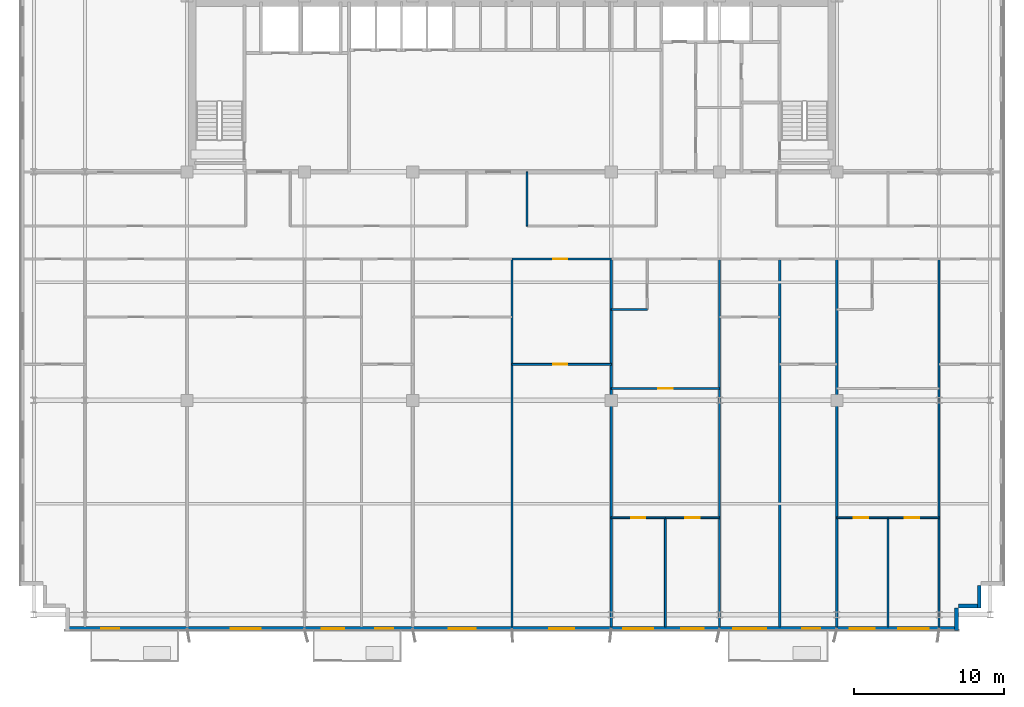
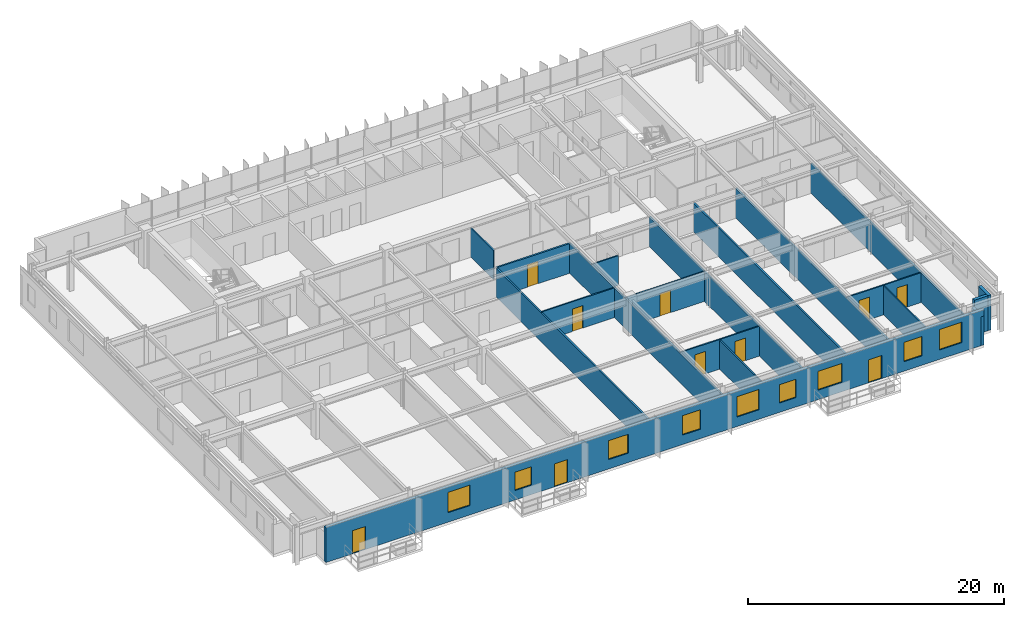
# One storey, part 15 of 21: 21 walls, 10 doors, 9 windows, 19 openings.
"""IFC4 building model written with IfcOpenShell, lengths in metres."""

from ifc_helpers import new_model, si_unit, direction, frame, frame_2d, origin, place, context, subcontext, project, spatial, rectangle, extrude, source, transform, mapped, material, layer, layer_set, type_object, element, fill, save


model = new_model("IFC4")

# Units and contexts
model_context = context("Model", 3, precision=1e-05, world=origin(), true_north=direction((0.0, 1.0)))
body_context = subcontext(model_context, "Body", "Model", "MODEL_VIEW")
ifc_project = project(units=[si_unit("LENGTHUNIT", "METRE"), si_unit("AREAUNIT", "SQUARE_METRE"), si_unit("VOLUMEUNIT", "CUBIC_METRE"), si_unit("PLANEANGLEUNIT", "RADIAN"), si_unit("MASSUNIT", "GRAM", prefix="KILO")], contexts=[model_context])

# Site, building, storey
site_placement = place(None, origin())
site = spatial("IfcSite", under=ifc_project, at=site_placement, CompositionType="ELEMENT")
building_placement = place(site_placement, origin())
building = spatial("IfcBuilding", under=site, at=building_placement, Name="Trelvane Seafront Commons", CompositionType="ELEMENT")
storey_placement = place(building_placement, frame((0.0, 0.0, 106.89990234375)))
storey = spatial("IfcBuildingStorey", under=building, at=storey_placement, Name="L27", CompositionType="ELEMENT", Elevation=106.89990234375)

# Walls
ifc_material_1 = material(Name="Precast concrete C40/50", Category="concrete")
ifc_layer_1 = layer(ifc_material_1, 0.260009765625, Name="ARCH-WALL-EXT260")
ifc_layer_set_1 = layer_set([ifc_layer_1], Name="Precast concrete C40/50")
wall_type_1 = type_object("IfcWallType", Name="ARCH-WALL-EXT260", PredefinedType="SOLIDWALL", material=ifc_layer_set_1)
for number, where, z_axis, x_axis, name in (
    (1, (68.27001953125, 5.89990234375, 0.0), (0.0, 0.0, 1.0), (0.0, -1.0, 0.0), "EW-L27-00512"),
    (2, (68.39990234375, 4.530029296875, 0.0), (0.0, 0.0, 1.0), (-1.0, 0.0, 0.0), "EW-L27-00513"),
):
    element("IfcWall", number, at=place(storey_placement, frame(where, z_axis=z_axis, x_axis=x_axis)), inside=storey, type_object=wall_type_1, Name=name, PredefinedType="SOLIDWALL", context=body_context, shape_type="SweptSolid", body=[
        extrude(rectangle(XDim=1.5, YDim=0.260009765625, at=frame_2d((0.75, 0.0))), origin(), (0.0, 0.0, 1.0), 3.340087890625),
    ])
wall_1_placement = place(storey_placement, frame((66.77001953125, 4.39990234375, 0.0), z_axis=(0.0, 0.0, 1.0), x_axis=(0.0, -1.0, 0.0)))
element("IfcWall", 3, at=wall_1_placement, inside=storey, type_object=wall_type_1, Name="EW-L27-00514", PredefinedType="SOLIDWALL", context=body_context, shape_type="SweptSolid", body=[
    extrude(rectangle(XDim=1.5, YDim=0.260009765625, at=frame_2d((0.75, 0.0))), origin(), (0.0, 0.0, 1.0), 2.752197265625),
])

# Wall, openings, doors, windows
wall_2_placement = place(storey_placement, frame((66.89990234375, 3.030029296875, 0.0), z_axis=(0.0, 0.0, 1.0), x_axis=(-1.0, 0.0, 0.0)))
wall_2 = element("IfcWall", 4, at=wall_2_placement, inside=storey, type_object=wall_type_1, Name="EW-L27-00515", PredefinedType="SOLIDWALL", context=body_context, shape_type="SweptSolid", body=[
    extrude(rectangle(XDim=59.39990234375, YDim=0.260009765625, at=frame_2d((29.699951171875, 0.0))), origin(), (0.0, 0.0, 1.0), 3.340087890625),
])
opening_1_placement = place(wall_2_placement, frame((2.0, 0.0, 0.89990234375)))
opening_1 = element("IfcOpeningElement", 5, at=opening_1_placement, cuts=wall_2, Name="Opening W06", PredefinedType="OPENING", context=body_context, shape_type="SweptSolid", body=[
    extrude(rectangle(XDim=2.0, YDim=1.949951171875, at=frame_2d((1.0, 0.97509765625))), frame((0.0, 0.139892578125, 0.0), z_axis=(0.0, -1.0, 0.0), x_axis=(1.0, 0.0, 0.0)), (0.0, 0.0, 1.0), 0.280029296875),
])
opening_2_placement = place(wall_2_placement, frame((5.574951171875, 0.0, 0.89990234375)))
opening_2 = element("IfcOpeningElement", 6, at=opening_2_placement, cuts=wall_2, Name="Opening W07", PredefinedType="OPENING", context=body_context, shape_type="SweptSolid", body=[
    extrude(rectangle(XDim=1.64990234375, YDim=1.85009765625, at=frame_2d((0.824951171875, 0.925048828125))), frame((0.0, 0.139892578125, 0.0), z_axis=(0.0, -1.0, 0.0), x_axis=(1.0, 0.0, 0.0)), (0.0, 0.0, 1.0), 0.280029296875),
])
opening_3_placement = place(wall_2_placement, frame((9.212890625, 0.0, 0.0)))
opening_3 = element("IfcOpeningElement", 7, at=opening_3_placement, cuts=wall_2, Name="Opening BD-L27-64", PredefinedType="OPENING", context=body_context, shape_type="SweptSolid", body=[
    extrude(rectangle(XDim=1.199951171875, YDim=2.199951171875, at=frame_2d((0.60009765625, 1.10009765625))), frame((0.0, 0.139892578125, 0.0), z_axis=(0.0, -1.0, 0.0), x_axis=(1.0, 0.0, 0.0)), (0.0, 0.0, 1.0), 0.280029296875),
])
opening_4_placement = place(wall_2_placement, frame((12.800048828125, 0.0, 0.89990234375)))
opening_4 = element("IfcOpeningElement", 8, at=opening_4_placement, cuts=wall_2, Name="Opening W02", PredefinedType="OPENING", context=body_context, shape_type="SweptSolid", body=[
    extrude(rectangle(XDim=2.199951171875, YDim=1.800048828125, at=frame_2d((1.10009765625, 0.89990234375))), frame((0.0, 0.139892578125, 0.0), z_axis=(0.0, -1.0, 0.0), x_axis=(1.0, 0.0, 0.0)), (0.0, 0.0, 1.0), 0.280029296875),
])
opening_5_placement = place(wall_2_placement, frame((16.949951171875, 0.0, 0.89990234375)))
opening_5 = element("IfcOpeningElement", 9, at=opening_5_placement, cuts=wall_2, Name="Opening W03", PredefinedType="OPENING", context=body_context, shape_type="SweptSolid", body=[
    extrude(rectangle(XDim=1.5, YDim=1.75, at=frame_2d((0.75, 0.875))), frame((0.0, 0.139892578125, 0.0), z_axis=(0.0, -1.0, 0.0), x_axis=(1.0, 0.0, 0.0)), (0.0, 0.0, 1.0), 0.280029296875),
])
opening_6_placement = place(wall_2_placement, frame((20.300048828125, 0.0, 0.89990234375)))
opening_6 = element("IfcOpeningElement", 10, at=opening_6_placement, cuts=wall_2, Name="Opening W06", PredefinedType="OPENING", context=body_context, shape_type="SweptSolid", body=[
    extrude(rectangle(XDim=2.0, YDim=1.949951171875, at=frame_2d((1.0, 0.97509765625))), frame((0.0, 0.139892578125, 0.0), z_axis=(0.0, -1.0, 0.0), x_axis=(1.0, 0.0, 0.0)), (0.0, 0.0, 1.0), 0.280029296875),
])
opening_7_placement = place(wall_2_placement, frame((25.574951171875, 0.0, 0.89990234375)))
opening_7 = element("IfcOpeningElement", 11, at=opening_7_placement, cuts=wall_2, Name="Opening W07", PredefinedType="OPENING", context=body_context, shape_type="SweptSolid", body=[
    extrude(rectangle(XDim=1.64990234375, YDim=1.85009765625, at=frame_2d((0.824951171875, 0.925048828125))), frame((0.0, 0.139892578125, 0.0), z_axis=(0.0, -1.0, 0.0), x_axis=(1.0, 0.0, 0.0)), (0.0, 0.0, 1.0), 0.280029296875),
])
opening_8_placement = place(wall_2_placement, frame((32.10009765625, 0.0, 0.89990234375)))
opening_8 = element("IfcOpeningElement", 12, at=opening_8_placement, cuts=wall_2, Name="Opening W01", PredefinedType="OPENING", context=body_context, shape_type="SweptSolid", body=[
    extrude(rectangle(XDim=1.800048828125, YDim=1.800048828125, at=frame_2d((0.89990234375, 0.89990234375))), frame((0.0, 0.139892578125, 0.0), z_axis=(0.0, -1.0, 0.0), x_axis=(1.0, 0.0, 0.0)), (0.0, 0.0, 1.0), 0.280029296875),
])
opening_9_placement = place(wall_2_placement, frame((37.583984375, 0.0, 0.0)))
opening_9 = element("IfcOpeningElement", 13, at=opening_9_placement, cuts=wall_2, Name="Opening BD-L27-65", PredefinedType="OPENING", context=body_context, shape_type="SweptSolid", body=[
    extrude(rectangle(XDim=1.199951171875, YDim=2.199951171875, at=frame_2d((0.60009765625, 1.10009765625))), frame((0.0, 0.139892578125, 0.0), z_axis=(0.0, -1.0, 0.0), x_axis=(1.0, 0.0, 0.0)), (0.0, 0.0, 1.0), 0.280029296875),
])
opening_10_placement = place(wall_2_placement, frame((40.85009765625, 0.0, 0.89990234375)))
opening_10 = element("IfcOpeningElement", 14, at=opening_10_placement, cuts=wall_2, Name="Opening W03", PredefinedType="OPENING", context=body_context, shape_type="SweptSolid", body=[
    extrude(rectangle(XDim=1.5, YDim=1.75, at=frame_2d((0.75, 0.875))), frame((0.0, 0.139892578125, 0.0), z_axis=(0.0, -1.0, 0.0), x_axis=(1.0, 0.0, 0.0)), (0.0, 0.0, 1.0), 0.280029296875),
])
opening_11_placement = place(wall_2_placement, frame((46.39990234375, 0.0, 0.89990234375)))
opening_11 = element("IfcOpeningElement", 15, at=opening_11_placement, cuts=wall_2, Name="Opening W06", PredefinedType="OPENING", context=body_context, shape_type="SweptSolid", body=[
    extrude(rectangle(XDim=2.0, YDim=1.949951171875, at=frame_2d((1.0, 0.97509765625))), frame((0.0, 0.139892578125, 0.0), z_axis=(0.0, -1.0, 0.0), x_axis=(1.0, 0.0, 0.0)), (0.0, 0.0, 1.0), 0.280029296875),
])
opening_12_placement = place(wall_2_placement, frame((55.81689453125, 0.0, 0.0)))
opening_12 = element("IfcOpeningElement", 16, at=opening_12_placement, cuts=wall_2, Name="Opening BD-L27-66", PredefinedType="OPENING", context=body_context, shape_type="SweptSolid", body=[
    extrude(rectangle(XDim=1.199951171875, YDim=2.199951171875, at=frame_2d((0.60009765625, 1.10009765625))), frame((0.0, 0.139892578125, 0.0), z_axis=(0.0, -1.0, 0.0), x_axis=(1.0, 0.0, 0.0)), (0.0, 0.0, 1.0), 0.280029296875),
])
ifc_material_2 = material(Name="Powder-coated aluminium frame", Category="aluminium")
door_type_1 = type_object("IfcDoorType", Name="ARCH-DR-BAL1200", OperationType="NOTDEFINED", PredefinedType="DOOR", material=ifc_material_2)
shared_shape_1 = source(origin(), body_context, "Body", "SweptSolid", [
    extrude(rectangle(XDim=1.199951171875, YDim=2.199951171875, at=frame_2d((0.60009765625, 1.10009765625))), frame((0.0, 0.02490234375, 0.0), z_axis=(0.0, -1.0, 0.0), x_axis=(1.0, 0.0, 0.0)), (0.0, 0.0, 1.0), 0.050048828125),
])
door_1_placement = place(opening_3_placement, origin())
door_1 = element("IfcDoor", 17, at=door_1_placement, inside=storey, type_object=door_type_1, Name="L27 Balcony Terrace Access Door", OperationType="SINGLE_SWING_LEFT", OverallHeight=2.199951171875, OverallWidth=1.199951171875, PredefinedType="DOOR", context=body_context, shape_type="MappedRepresentation", body=[
    mapped(shared_shape_1, transform((0.0, 0.0, 0.0), x_axis=(1.0, 0.0, 0.0), y_axis=(0.0, 1.0, 0.0), z_axis=(0.0, 0.0, 1.0), scale=1.0)),
])
fill(opening_3, door_1)
door_2_placement = place(opening_9_placement, origin())
door_2 = element("IfcDoor", 18, at=door_2_placement, inside=storey, type_object=door_type_1, Name="L27 Balcony Terrace Access Door", OperationType="SINGLE_SWING_LEFT", OverallHeight=2.199951171875, OverallWidth=1.199951171875, PredefinedType="DOOR", context=body_context, shape_type="MappedRepresentation", body=[
    mapped(shared_shape_1, transform((0.0, 0.0, 0.0), x_axis=(1.0, 0.0, 0.0), y_axis=(0.0, 1.0, 0.0), z_axis=(0.0, 0.0, 1.0), scale=1.0)),
])
fill(opening_9, door_2)
door_3_placement = place(opening_12_placement, origin())
door_3 = element("IfcDoor", 19, at=door_3_placement, inside=storey, type_object=door_type_1, Name="L27 Balcony Terrace Access Door", OperationType="SINGLE_SWING_LEFT", OverallHeight=2.199951171875, OverallWidth=1.199951171875, PredefinedType="DOOR", context=body_context, shape_type="MappedRepresentation", body=[
    mapped(shared_shape_1, transform((0.0, 0.0, 0.0), x_axis=(1.0, 0.0, 0.0), y_axis=(0.0, 1.0, 0.0), z_axis=(0.0, 0.0, 1.0), scale=1.0)),
])
fill(opening_12, door_3)
ifc_material_3 = material(Name="Low-E coastal double glazing", Category="glass")
window_type_1 = type_object("IfcWindowType", Name="ARCH-WIN-W02", PartitioningType="SINGLE_PANEL", PredefinedType="WINDOW", material=ifc_material_3)
shared_shape_2 = source(origin(), body_context, "Body", "SweptSolid", [
    extrude(rectangle(XDim=2.199951171875, YDim=1.800048828125, at=frame_2d((1.10009765625, 0.89990234375))), frame((0.0, 0.030029296875, 0.0), z_axis=(0.0, -1.0, 0.0), x_axis=(1.0, 0.0, 0.0)), (0.0, 0.0, 1.0), 0.06005859375),
])
window_1_placement = place(opening_4_placement, origin())
window_1 = element("IfcWindow", 20, at=window_1_placement, inside=storey, type_object=window_type_1, Name="WIN-L27-00603", OverallHeight=1.800048828125, OverallWidth=2.199951171875, PartitioningType="SINGLE_PANEL", PredefinedType="WINDOW", context=body_context, shape_type="MappedRepresentation", body=[
    mapped(shared_shape_2, transform((0.0, 0.0, 0.0), x_axis=(1.0, 0.0, 0.0), y_axis=(0.0, 1.0, 0.0), z_axis=(0.0, 0.0, 1.0), scale=1.0)),
])
fill(opening_4, window_1)
window_type_2 = type_object("IfcWindowType", Name="ARCH-WIN-W03", PartitioningType="SINGLE_PANEL", PredefinedType="WINDOW", material=ifc_material_3)
shared_shape_3 = source(origin(), body_context, "Body", "SweptSolid", [
    extrude(rectangle(XDim=1.5, YDim=1.75, at=frame_2d((0.75, 0.875))), frame((0.0, 0.030029296875, 0.0), z_axis=(0.0, -1.0, 0.0), x_axis=(1.0, 0.0, 0.0)), (0.0, 0.0, 1.0), 0.06005859375),
])
window_2_placement = place(opening_5_placement, origin())
window_2 = element("IfcWindow", 21, at=window_2_placement, inside=storey, type_object=window_type_2, Name="WIN-L27-00604", OverallHeight=1.75, OverallWidth=1.5, PartitioningType="SINGLE_PANEL", PredefinedType="WINDOW", context=body_context, shape_type="MappedRepresentation", body=[
    mapped(shared_shape_3, transform((0.0, 0.0, 0.0), x_axis=(1.0, 0.0, 0.0), y_axis=(0.0, 1.0, 0.0), z_axis=(0.0, 0.0, 1.0), scale=1.0)),
])
fill(opening_5, window_2)
window_3_placement = place(opening_10_placement, origin())
window_3 = element("IfcWindow", 22, at=window_3_placement, inside=storey, type_object=window_type_2, Name="WIN-L27-00608", OverallHeight=1.75, OverallWidth=1.5, PartitioningType="SINGLE_PANEL", PredefinedType="WINDOW", context=body_context, shape_type="MappedRepresentation", body=[
    mapped(shared_shape_3, transform((0.0, 0.0, 0.0), x_axis=(1.0, 0.0, 0.0), y_axis=(0.0, 1.0, 0.0), z_axis=(0.0, 0.0, 1.0), scale=1.0)),
])
fill(opening_10, window_3)
window_type_3 = type_object("IfcWindowType", Name="ARCH-WIN-W06", PartitioningType="SINGLE_PANEL", PredefinedType="WINDOW", material=ifc_material_3)
shared_shape_4 = source(origin(), body_context, "Body", "SweptSolid", [
    extrude(rectangle(XDim=2.0, YDim=1.949951171875, at=frame_2d((1.0, 0.97509765625))), frame((0.0, 0.030029296875, 0.0), z_axis=(0.0, -1.0, 0.0), x_axis=(1.0, 0.0, 0.0)), (0.0, 0.0, 1.0), 0.06005859375),
])
window_4_placement = place(opening_1_placement, origin())
window_4 = element("IfcWindow", 23, at=window_4_placement, inside=storey, type_object=window_type_3, Name="WIN-L27-00601", OverallHeight=1.949951171875, OverallWidth=2.0, PartitioningType="SINGLE_PANEL", PredefinedType="WINDOW", context=body_context, shape_type="MappedRepresentation", body=[
    mapped(shared_shape_4, transform((0.0, 0.0, 0.0), x_axis=(1.0, 0.0, 0.0), y_axis=(0.0, 1.0, 0.0), z_axis=(0.0, 0.0, 1.0), scale=1.0)),
])
fill(opening_1, window_4)
window_5_placement = place(opening_6_placement, origin())
window_5 = element("IfcWindow", 24, at=window_5_placement, inside=storey, type_object=window_type_3, Name="WIN-L27-00605", OverallHeight=1.949951171875, OverallWidth=2.0, PartitioningType="SINGLE_PANEL", PredefinedType="WINDOW", context=body_context, shape_type="MappedRepresentation", body=[
    mapped(shared_shape_4, transform((0.0, 0.0, 0.0), x_axis=(1.0, 0.0, 0.0), y_axis=(0.0, 1.0, 0.0), z_axis=(0.0, 0.0, 1.0), scale=1.0)),
])
fill(opening_6, window_5)
window_6_placement = place(opening_11_placement, origin())
window_6 = element("IfcWindow", 25, at=window_6_placement, inside=storey, type_object=window_type_3, Name="WIN-L27-00609", OverallHeight=1.949951171875, OverallWidth=2.0, PartitioningType="SINGLE_PANEL", PredefinedType="WINDOW", context=body_context, shape_type="MappedRepresentation", body=[
    mapped(shared_shape_4, transform((0.0, 0.0, 0.0), x_axis=(1.0, 0.0, 0.0), y_axis=(0.0, 1.0, 0.0), z_axis=(0.0, 0.0, 1.0), scale=1.0)),
])
fill(opening_11, window_6)
window_type_4 = type_object("IfcWindowType", Name="ARCH-WIN-W01", PartitioningType="SINGLE_PANEL", PredefinedType="WINDOW", material=ifc_material_3)
shared_shape_5 = source(origin(), body_context, "Body", "SweptSolid", [
    extrude(rectangle(XDim=1.800048828125, YDim=1.800048828125, at=frame_2d((0.89990234375, 0.89990234375))), frame((0.0, 0.030029296875, 0.0), z_axis=(0.0, -1.0, 0.0), x_axis=(1.0, 0.0, 0.0)), (0.0, 0.0, 1.0), 0.06005859375),
])
window_7_placement = place(opening_8_placement, origin())
window_7 = element("IfcWindow", 26, at=window_7_placement, inside=storey, type_object=window_type_4, Name="WIN-L27-00607", OverallHeight=1.800048828125, OverallWidth=1.800048828125, PartitioningType="SINGLE_PANEL", PredefinedType="WINDOW", context=body_context, shape_type="MappedRepresentation", body=[
    mapped(shared_shape_5, transform((0.0, 0.0, 0.0), x_axis=(1.0, 0.0, 0.0), y_axis=(0.0, 1.0, 0.0), z_axis=(0.0, 0.0, 1.0), scale=1.0)),
])
fill(opening_8, window_7)
window_type_5 = type_object("IfcWindowType", Name="ARCH-WIN-W07", PartitioningType="SINGLE_PANEL", PredefinedType="WINDOW", material=ifc_material_3)
shared_shape_6 = source(origin(), body_context, "Body", "SweptSolid", [
    extrude(rectangle(XDim=1.64990234375, YDim=1.85009765625, at=frame_2d((0.824951171875, 0.925048828125))), frame((0.0, 0.030029296875, 0.0), z_axis=(0.0, -1.0, 0.0), x_axis=(1.0, 0.0, 0.0)), (0.0, 0.0, 1.0), 0.06005859375),
])
window_8_placement = place(opening_2_placement, origin())
window_8 = element("IfcWindow", 27, at=window_8_placement, inside=storey, type_object=window_type_5, Name="WIN-L27-00602", OverallHeight=1.85009765625, OverallWidth=1.64990234375, PartitioningType="SINGLE_PANEL", PredefinedType="WINDOW", context=body_context, shape_type="MappedRepresentation", body=[
    mapped(shared_shape_6, transform((0.0, 0.0, 0.0), x_axis=(1.0, 0.0, 0.0), y_axis=(0.0, 1.0, 0.0), z_axis=(0.0, 0.0, 1.0), scale=1.0)),
])
fill(opening_2, window_8)
window_9_placement = place(opening_7_placement, origin())
window_9 = element("IfcWindow", 28, at=window_9_placement, inside=storey, type_object=window_type_5, Name="WIN-L27-00606", OverallHeight=1.85009765625, OverallWidth=1.64990234375, PartitioningType="SINGLE_PANEL", PredefinedType="WINDOW", context=body_context, shape_type="MappedRepresentation", body=[
    mapped(shared_shape_6, transform((0.0, 0.0, 0.0), x_axis=(1.0, 0.0, 0.0), y_axis=(0.0, 1.0, 0.0), z_axis=(0.0, 0.0, 1.0), scale=1.0)),
])
fill(opening_7, window_9)

# Wall
ifc_material_4 = material(Name="Gypsum Drywall Acoustic Partition")
ifc_layer_2 = layer(ifc_material_4, 0.1201171875, Name="ARCH-WALL-PART120")
ifc_layer_set_2 = layer_set([ifc_layer_2], Name="Gypsum Drywall Acoustic Partition")
wall_type_2 = type_object("IfcWallType", Name="ARCH-WALL-PART120", PredefinedType="PARTITIONING", material=ifc_layer_set_2)
wall_3_placement = place(storey_placement, frame((38.199951171875, 29.800048828125, 0.0), z_axis=(0.0, 0.0, 1.0), x_axis=(0.0, 1.0, 0.0)))
element("IfcWall", 29, at=wall_3_placement, inside=storey, type_object=wall_type_2, Name="W-L27-N-SPUR-M2-046", PredefinedType="PARTITIONING", context=body_context, shape_type="SweptSolid", body=[
    extrude(rectangle(XDim=3.599853515625, YDim=0.1201171875, at=frame_2d((1.7998046875, 0.0))), origin(), (0.0, 0.0, 1.0), 2.752197265625),
])

# Wall, opening, door
wall_4_placement = place(storey_placement, frame((37.199951171875, 20.60009765625, 0.0), z_axis=(0.0, 0.0, 1.0), x_axis=(1.0, 0.0, 0.0)))
wall_4 = element("IfcWall", 30, at=wall_4_placement, inside=storey, type_object=wall_type_2, Name="W-L27-U7-DIV-078", PredefinedType="PARTITIONING", context=body_context, shape_type="SweptSolid", body=[
    extrude(rectangle(XDim=6.60009765625, YDim=0.1201171875, at=frame_2d((3.300048828125, 0.0))), origin(), (0.0, 0.0, 1.0), 2.840087890625),
])
opening_13_placement = place(wall_4_placement, frame((2.73388671875, 0.0, 0.0)))
opening_13 = element("IfcOpeningElement", 31, at=opening_13_placement, cuts=wall_4, Name="Opening D-L27-41", PredefinedType="OPENING", context=body_context, shape_type="SweptSolid", body=[
    extrude(rectangle(XDim=0.949951171875, YDim=2.14990234375, at=frame_2d((0.47509765625, 1.074951171875))), frame((0.0, 0.070068359375, 0.0), z_axis=(0.0, -1.0, 0.0), x_axis=(1.0, 0.0, 0.0)), (0.0, 0.0, 1.0), 0.14013671875),
])
ifc_material_5 = material(Name="Acoustic timber door leaf", Category="wood")
door_type_2 = type_object("IfcDoorType", Name="ARCH-DR-INT950", OperationType="NOTDEFINED", PredefinedType="DOOR", material=ifc_material_5)
shared_shape_7 = source(origin(), body_context, "Body", "SweptSolid", [
    extrude(rectangle(XDim=0.949951171875, YDim=2.14990234375, at=frame_2d((0.47509765625, 1.074951171875))), frame((0.0, 0.02490234375, 0.0), z_axis=(0.0, -1.0, 0.0), x_axis=(1.0, 0.0, 0.0)), (0.0, 0.0, 1.0), 0.050048828125),
])
door_4_placement = place(opening_13_placement, origin())
door_4 = element("IfcDoor", 32, at=door_4_placement, inside=storey, type_object=door_type_2, Name="L27 Door 41", OperationType="SINGLE_SWING_LEFT", OverallHeight=2.14990234375, OverallWidth=0.949951171875, PredefinedType="DOOR", context=body_context, shape_type="MappedRepresentation", body=[
    mapped(shared_shape_7, transform((0.0, 0.0, 0.0), x_axis=(1.0, 0.0, 0.0), y_axis=(0.0, 1.0, 0.0), z_axis=(0.0, 0.0, 1.0), scale=1.0)),
])
fill(opening_13, door_4)

wall_5_placement = place(storey_placement, frame((43.800048828125, 19.0, 0.0), z_axis=(0.0, 0.0, 1.0), x_axis=(1.0, 0.0, 0.0)))
wall_5 = element("IfcWall", 33, at=wall_5_placement, inside=storey, type_object=wall_type_2, Name="W-L27-U8-KL-079", PredefinedType="PARTITIONING", context=body_context, shape_type="SweptSolid", body=[
    extrude(rectangle(XDim=7.199951171875, YDim=0.1201171875, at=frame_2d((3.60009765625, 0.0))), origin(), (0.0, 0.0, 1.0), 2.840087890625),
])
opening_14_placement = place(wall_5_placement, frame((3.125, 0.0, 0.0)))
opening_14 = element("IfcOpeningElement", 34, at=opening_14_placement, cuts=wall_5, Name="Opening D-L27-42", PredefinedType="OPENING", context=body_context, shape_type="SweptSolid", body=[
    extrude(rectangle(XDim=0.949951171875, YDim=2.14990234375, at=frame_2d((0.47509765625, 1.074951171875))), frame((0.0, 0.070068359375, 0.0), z_axis=(0.0, -1.0, 0.0), x_axis=(1.0, 0.0, 0.0)), (0.0, 0.0, 1.0), 0.14013671875),
])
door_5_placement = place(opening_14_placement, origin())
door_5 = element("IfcDoor", 35, at=door_5_placement, inside=storey, type_object=door_type_2, Name="L27 Door 42", OperationType="SINGLE_SWING_RIGHT", OverallHeight=2.14990234375, OverallWidth=0.949951171875, PredefinedType="DOOR", context=body_context, shape_type="MappedRepresentation", body=[
    mapped(shared_shape_7, transform((0.0, 0.0, 0.0), x_axis=(1.0, 0.0, 0.0), y_axis=(0.0, 1.0, 0.0), z_axis=(0.0, 0.0, 1.0), scale=1.0)),
])
fill(opening_14, door_5)

# Wall
wall_6_placement = place(storey_placement, frame((43.800048828125, 24.25, 0.0), z_axis=(0.0, 0.0, 1.0), x_axis=(1.0, 0.0, 0.0)))
element("IfcWall", 36, at=wall_6_placement, inside=storey, type_object=wall_type_2, Name="W-L27-U8-BS-081", PredefinedType="PARTITIONING", context=body_context, shape_type="SweptSolid", body=[
    extrude(rectangle(XDim=2.39990234375, YDim=0.1201171875, at=frame_2d((1.199951171875, 0.0))), origin(), (0.0, 0.0, 1.0), 2.840087890625),
])

# Wall, opening, door
wall_7_placement = place(storey_placement, frame((43.800048828125, 10.39990234375, 0.0), z_axis=(0.0, 0.0, 1.0), x_axis=(1.0, 0.0, 0.0)))
wall_7 = element("IfcWall", 37, at=wall_7_placement, inside=storey, type_object=wall_type_2, Name="W-L27-U8-YM-1-083", PredefinedType="PARTITIONING", context=body_context, shape_type="SweptSolid", body=[
    extrude(rectangle(XDim=3.599853515625, YDim=0.1201171875, at=frame_2d((1.7998046875, 0.0))), origin(), (0.0, 0.0, 1.0), 2.840087890625),
])
opening_15_placement = place(wall_7_placement, frame((1.324951171875, 0.0, 0.0)))
opening_15 = element("IfcOpeningElement", 38, at=opening_15_placement, cuts=wall_7, Name="Opening D-L27-45", PredefinedType="OPENING", context=body_context, shape_type="SweptSolid", body=[
    extrude(rectangle(XDim=0.949951171875, YDim=2.14990234375, at=frame_2d((0.47509765625, 1.074951171875))), frame((0.0, 0.070068359375, 0.0), z_axis=(0.0, -1.0, 0.0), x_axis=(1.0, 0.0, 0.0)), (0.0, 0.0, 1.0), 0.14013671875),
])
door_6_placement = place(opening_15_placement, origin())
door_6 = element("IfcDoor", 39, at=door_6_placement, inside=storey, type_object=door_type_2, Name="L27 Door 45", OperationType="SINGLE_SWING_LEFT", OverallHeight=2.14990234375, OverallWidth=0.949951171875, PredefinedType="DOOR", context=body_context, shape_type="MappedRepresentation", body=[
    mapped(shared_shape_7, transform((0.0, 0.0, 0.0), x_axis=(1.0, 0.0, 0.0), y_axis=(0.0, 1.0, 0.0), z_axis=(0.0, 0.0, 1.0), scale=1.0)),
])
fill(opening_15, door_6)

wall_8_placement = place(storey_placement, frame((47.39990234375, 10.39990234375, 0.0), z_axis=(0.0, 0.0, 1.0), x_axis=(1.0, 0.0, 0.0)))
wall_8 = element("IfcWall", 40, at=wall_8_placement, inside=storey, type_object=wall_type_2, Name="W-L27-U8-YM-2-084", PredefinedType="PARTITIONING", context=body_context, shape_type="SweptSolid", body=[
    extrude(rectangle(XDim=3.60009765625, YDim=0.1201171875, at=frame_2d((1.800048828125, 0.0))), origin(), (0.0, 0.0, 1.0), 2.840087890625),
])
opening_16_placement = place(wall_8_placement, frame((1.324951171875, 0.0, 0.0)))
opening_16 = element("IfcOpeningElement", 41, at=opening_16_placement, cuts=wall_8, Name="Opening D-L27-46", PredefinedType="OPENING", context=body_context, shape_type="SweptSolid", body=[
    extrude(rectangle(XDim=0.949951171875, YDim=2.14990234375, at=frame_2d((0.47509765625, 1.074951171875))), frame((0.0, 0.070068359375, 0.0), z_axis=(0.0, -1.0, 0.0), x_axis=(1.0, 0.0, 0.0)), (0.0, 0.0, 1.0), 0.14013671875),
])
door_7_placement = place(opening_16_placement, origin())
door_7 = element("IfcDoor", 42, at=door_7_placement, inside=storey, type_object=door_type_2, Name="L27 Door 46", OperationType="SINGLE_SWING_RIGHT", OverallHeight=2.14990234375, OverallWidth=0.949951171875, PredefinedType="DOOR", context=body_context, shape_type="MappedRepresentation", body=[
    mapped(shared_shape_7, transform((0.0, 0.0, 0.0), x_axis=(1.0, 0.0, 0.0), y_axis=(0.0, 1.0, 0.0), z_axis=(0.0, 0.0, 1.0), scale=1.0)),
])
fill(opening_16, door_7)

# Wall
wall_9_placement = place(storey_placement, frame((47.39990234375, 3.14501953125, 0.0), z_axis=(0.0, 0.0, 1.0), x_axis=(0.0, 1.0, 0.0)))
element("IfcWall", 43, at=wall_9_placement, inside=storey, type_object=wall_type_2, Name="W-L27-U8-BDV-1-085", PredefinedType="PARTITIONING", context=body_context, shape_type="SweptSolid", body=[
    extrude(rectangle(XDim=7.2548828125, YDim=0.1201171875, at=frame_2d((3.62744140625, 0.0))), origin(), (0.0, 0.0, 1.0), 2.752197265625),
])

# Wall, opening, door
wall_10_placement = place(storey_placement, frame((58.800048828125, 10.39990234375, 0.0), z_axis=(0.0, 0.0, 1.0), x_axis=(1.0, 0.0, 0.0)))
wall_10 = element("IfcWall", 44, at=wall_10_placement, inside=storey, type_object=wall_type_2, Name="W-L27-U11-YM-1-094", PredefinedType="PARTITIONING", context=body_context, shape_type="SweptSolid", body=[
    extrude(rectangle(XDim=3.39990234375, YDim=0.1201171875, at=frame_2d((1.699951171875, 0.0))), origin(), (0.0, 0.0, 1.0), 2.840087890625),
])
opening_17_placement = place(wall_10_placement, frame((1.131103515625, 0.0, 0.0)))
opening_17 = element("IfcOpeningElement", 45, at=opening_17_placement, cuts=wall_10, Name="Opening D-L27-54", PredefinedType="OPENING", context=body_context, shape_type="SweptSolid", body=[
    extrude(rectangle(XDim=0.949951171875, YDim=2.14990234375, at=frame_2d((0.47509765625, 1.074951171875))), frame((0.0, 0.070068359375, 0.0), z_axis=(0.0, -1.0, 0.0), x_axis=(1.0, 0.0, 0.0)), (0.0, 0.0, 1.0), 0.14013671875),
])
door_8_placement = place(opening_17_placement, origin())
door_8 = element("IfcDoor", 46, at=door_8_placement, inside=storey, type_object=door_type_2, Name="L27 Door 54", OperationType="SINGLE_SWING_RIGHT", OverallHeight=2.14990234375, OverallWidth=0.949951171875, PredefinedType="DOOR", context=body_context, shape_type="MappedRepresentation", body=[
    mapped(shared_shape_7, transform((0.0, 0.0, 0.0), x_axis=(1.0, 0.0, 0.0), y_axis=(0.0, 1.0, 0.0), z_axis=(0.0, 0.0, 1.0), scale=1.0)),
])
fill(opening_17, door_8)

wall_11_placement = place(storey_placement, frame((62.199951171875, 10.39990234375, 0.0), z_axis=(0.0, 0.0, 1.0), x_axis=(1.0, 0.0, 0.0)))
wall_11 = element("IfcWall", 47, at=wall_11_placement, inside=storey, type_object=wall_type_2, Name="W-L27-U11-YM-2-095", PredefinedType="PARTITIONING", context=body_context, shape_type="SweptSolid", body=[
    extrude(rectangle(XDim=3.400146484375, YDim=0.1201171875, at=frame_2d((1.7001953125, 0.0))), origin(), (0.0, 0.0, 1.0), 2.840087890625),
])
opening_18_placement = place(wall_11_placement, frame((1.131103515625, 0.0, 0.0)))
opening_18 = element("IfcOpeningElement", 48, at=opening_18_placement, cuts=wall_11, Name="Opening D-L27-55", PredefinedType="OPENING", context=body_context, shape_type="SweptSolid", body=[
    extrude(rectangle(XDim=0.949951171875, YDim=2.14990234375, at=frame_2d((0.47509765625, 1.074951171875))), frame((0.0, 0.070068359375, 0.0), z_axis=(0.0, -1.0, 0.0), x_axis=(1.0, 0.0, 0.0)), (0.0, 0.0, 1.0), 0.14013671875),
])
door_9_placement = place(opening_18_placement, origin())
door_9 = element("IfcDoor", 49, at=door_9_placement, inside=storey, type_object=door_type_2, Name="L27 Door 55", OperationType="SINGLE_SWING_LEFT", OverallHeight=2.14990234375, OverallWidth=0.949951171875, PredefinedType="DOOR", context=body_context, shape_type="MappedRepresentation", body=[
    mapped(shared_shape_7, transform((0.0, 0.0, 0.0), x_axis=(1.0, 0.0, 0.0), y_axis=(0.0, 1.0, 0.0), z_axis=(0.0, 0.0, 1.0), scale=1.0)),
])
fill(opening_18, door_9)

# Walls
wall_12_placement = place(storey_placement, frame((62.199951171875, 3.14501953125, 0.0), z_axis=(0.0, 0.0, 1.0), x_axis=(0.0, 1.0, 0.0)))
element("IfcWall", 50, at=wall_12_placement, inside=storey, type_object=wall_type_2, Name="W-L27-U11-BDV-1-096", PredefinedType="PARTITIONING", context=body_context, shape_type="SweptSolid", body=[
    extrude(rectangle(XDim=7.2548828125, YDim=0.1201171875, at=frame_2d((3.62744140625, 0.0))), origin(), (0.0, 0.0, 1.0), 2.752197265625),
])
ifc_layer_3 = layer(ifc_material_4, 0.14990234375, Name="ARCH-WALL-PART150")
ifc_layer_set_3 = layer_set([ifc_layer_3], Name="Gypsum Drywall Acoustic Partition")
wall_type_3 = type_object("IfcWallType", Name="ARCH-WALL-PART150", PredefinedType="PARTITIONING", material=ifc_layer_set_3)
wall_13_placement = place(storey_placement, frame((37.199951171875, 3.14501953125, 0.0), z_axis=(0.0, 0.0, 1.0), x_axis=(0.0, 1.0, 0.0)))
element("IfcWall", 51, at=wall_13_placement, inside=storey, type_object=wall_type_3, Name="W-L27-PW-6-059", PredefinedType="PARTITIONING", context=body_context, shape_type="SweptSolid", body=[
    extrude(rectangle(XDim=24.455078125, YDim=0.14990234375, at=frame_2d((12.2275390625, 0.0))), origin(), (0.0, 0.0, 1.0), 2.752197265625),
])
for number, where, z_axis, x_axis, name in (
    (52, (43.800048828125, 3.14501953125, 0.0), (0.0, 0.0, 1.0), (0.0, 1.0, 0.0), "W-L27-PW-7-060"),
    (53, (51.0, 3.14501953125, 0.0), (0.0, 0.0, 1.0), (0.0, 1.0, 0.0), "W-L27-PW-8-061"),
):
    element("IfcWall", number, at=place(storey_placement, frame(where, z_axis=z_axis, x_axis=x_axis)), inside=storey, type_object=wall_type_3, Name=name, PredefinedType="PARTITIONING", context=body_context, shape_type="SweptSolid", body=[
        extrude(rectangle(XDim=24.455078125, YDim=0.14990234375, at=frame_2d((12.2275390625, 0.0))), origin(), (0.0, 0.0, 1.0), 2.840087890625),
    ])
wall_14_placement = place(storey_placement, frame((55.0, 3.14501953125, 0.0), z_axis=(0.0, 0.0, 1.0), x_axis=(0.0, 1.0, 0.0)))
element("IfcWall", 54, at=wall_14_placement, inside=storey, type_object=wall_type_3, Name="W-L27-PW-9-062", PredefinedType="PARTITIONING", context=body_context, shape_type="SweptSolid", body=[
    extrude(rectangle(XDim=24.455078125, YDim=0.14990234375, at=frame_2d((12.2275390625, 0.0))), origin(), (0.0, 0.0, 1.0), 2.752197265625),
])
for number, where, z_axis, x_axis, name in (
    (55, (58.800048828125, 3.14501953125, 0.0), (0.0, 0.0, 1.0), (0.0, 1.0, 0.0), "W-L27-PW-10-063"),
    (56, (65.60009765625, 3.14501953125, 0.0), (0.0, 0.0, 1.0), (0.0, 1.0, 0.0), "W-L27-PW-11-064"),
):
    element("IfcWall", number, at=place(storey_placement, frame(where, z_axis=z_axis, x_axis=x_axis)), inside=storey, type_object=wall_type_3, Name=name, PredefinedType="PARTITIONING", context=body_context, shape_type="SweptSolid", body=[
        extrude(rectangle(XDim=24.455078125, YDim=0.14990234375, at=frame_2d((12.2275390625, 0.0))), origin(), (0.0, 0.0, 1.0), 2.840087890625),
    ])

# Wall, opening, door
wall_15_placement = place(storey_placement, frame((37.199951171875, 27.60009765625, 0.0), z_axis=(0.0, 0.0, 1.0), x_axis=(1.0, 0.0, 0.0)))
wall_15 = element("IfcWall", 57, at=wall_15_placement, inside=storey, type_object=wall_type_3, Name="W-L27-CS-BAY-7-077", PredefinedType="PARTITIONING", context=body_context, shape_type="SweptSolid", body=[
    extrude(rectangle(XDim=6.60009765625, YDim=0.14990234375, at=frame_2d((3.300048828125, 0.0))), origin(), (0.0, 0.0, 1.0), 2.840087890625),
])
opening_19_placement = place(wall_15_placement, frame((2.73388671875, 0.0, 0.0)))
opening_19 = element("IfcOpeningElement", 58, at=opening_19_placement, cuts=wall_15, Name="Opening FD-L27-40", PredefinedType="OPENING", context=body_context, shape_type="SweptSolid", body=[
    extrude(rectangle(XDim=0.949951171875, YDim=2.14990234375, at=frame_2d((0.47509765625, 1.074951171875))), frame((0.0, 0.0849609375, 0.0), z_axis=(0.0, -1.0, 0.0), x_axis=(1.0, 0.0, 0.0)), (0.0, 0.0, 1.0), 0.169921875),
])
door_type_3 = type_object("IfcDoorType", Name="ARCH-DR-FD60-950", OperationType="NOTDEFINED", PredefinedType="DOOR", material=ifc_material_2)
door_10_placement = place(opening_19_placement, origin())
door_10 = element("IfcDoor", 59, at=door_10_placement, inside=storey, type_object=door_type_3, Name="L27 Bay 07 Entrance Door", OperationType="SINGLE_SWING_RIGHT", OverallHeight=2.14990234375, OverallWidth=0.949951171875, PredefinedType="DOOR", context=body_context, shape_type="MappedRepresentation", body=[
    mapped(shared_shape_7, transform((0.0, 0.0, 0.0), x_axis=(1.0, 0.0, 0.0), y_axis=(0.0, 1.0, 0.0), z_axis=(0.0, 0.0, 1.0), scale=1.0)),
])
fill(opening_19, door_10)

save(model, "model.ifc")
